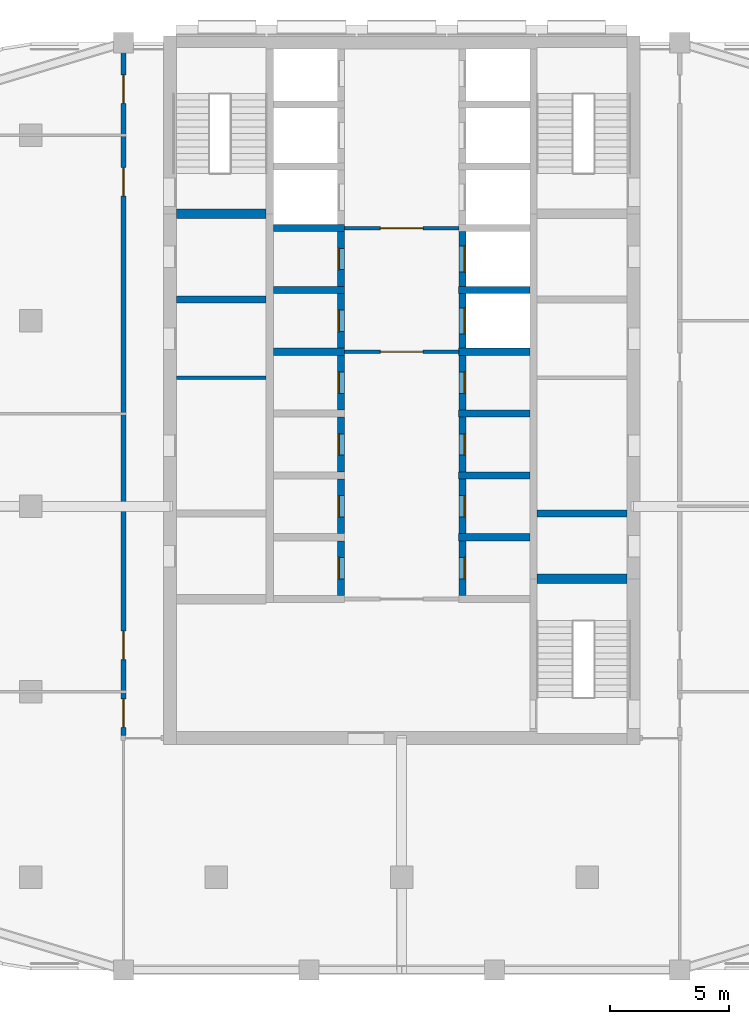
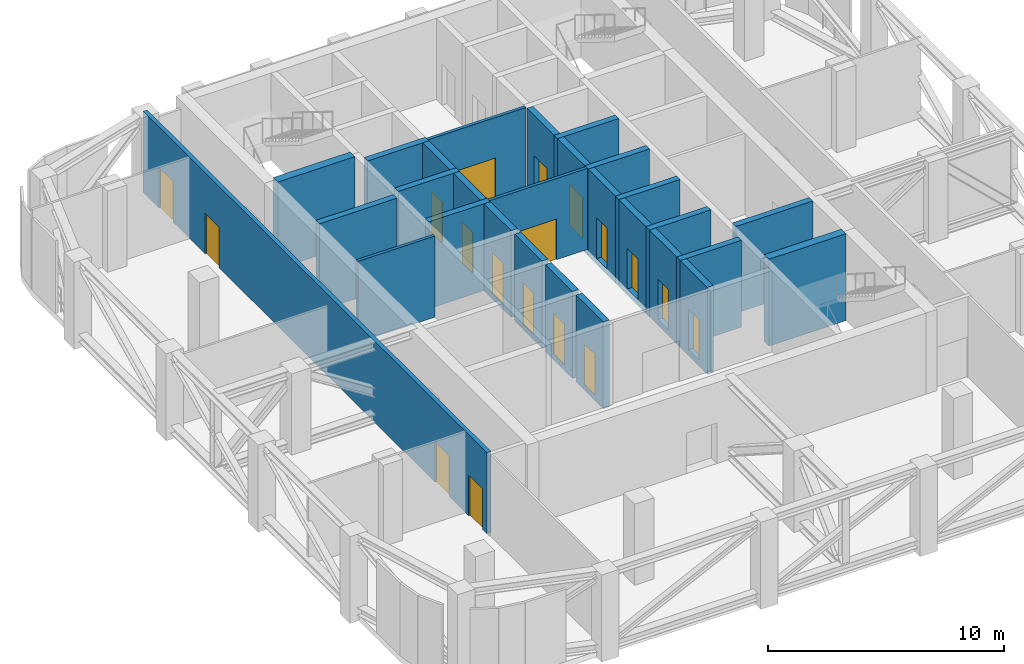
# One storey, part 5 of 11: 28 walls, 18 doors, 18 openings.
"""IFC4 building model written with IfcOpenShell, lengths in metres."""

from ifc_helpers import new_model, si_unit, direction, frame, frame_2d, origin, place, context, subcontext, project, spatial, rectangle, extrude, material, layer, layer_set, type_object, element, fill, save


model = new_model("IFC4")

# Units and contexts
model_context = context("Model", 3, precision=1e-05, world=origin(), true_north=direction((0.0, 1.0)))
body_context = subcontext(model_context, "Body", "Model", "MODEL_VIEW")
ifc_project = project(units=[si_unit("LENGTHUNIT", "METRE"), si_unit("AREAUNIT", "SQUARE_METRE"), si_unit("VOLUMEUNIT", "CUBIC_METRE"), si_unit("PLANEANGLEUNIT", "RADIAN"), si_unit("MASSUNIT", "GRAM", prefix="KILO")], contexts=[model_context])

# Site, building, storey
site_placement = place(None, origin())
site = spatial("IfcSite", under=ifc_project, at=site_placement, CompositionType="ELEMENT")
building_placement = place(site_placement, origin())
building = spatial("IfcBuilding", under=site, at=building_placement, Name="Ludao Terraces", CompositionType="ELEMENT")
storey_placement = place(building_placement, frame((0.0, 0.0, 144.10009765625)))
storey = spatial("IfcBuildingStorey", under=building, at=storey_placement, Name="L39", CompositionType="ELEMENT", Elevation=144.10009765625)

# Wall
ifc_material_1 = material(Name="Fire-rated gypsum plasterboard", Category="gypsum")
ifc_layer_1 = layer(ifc_material_1, 0.012451171875, Category="gypsum")
ifc_material_2 = material(Name="Mineral wool")
ifc_layer_2 = layer(ifc_material_2, 0.10009765625, Name="insulation")
ifc_material_3 = material(Name="Steel Q235", Category="steel")
ifc_layer_3 = layer(ifc_material_3, 0.02490234375, Name="stud")
ifc_layer_4 = layer(ifc_material_1, 0.012451171875, Category="gypsum")
ifc_layer_set_1 = layer_set([ifc_layer_1, ifc_layer_2, ifc_layer_3, ifc_layer_4], Name="INT Core partition 150")
wall_type_1 = type_object("IfcWallType", Name="INT Core partition 150", PredefinedType="PARTITIONING", material=ifc_layer_set_1)
wall_1_placement = place(storey_placement, frame((75.525146484375, 70.39990234375, 0.0), z_axis=(0.0, 0.0, 1.0), x_axis=(1.0, 0.0, 0.0)))
element("IfcWall", 1, at=wall_1_placement, inside=storey, type_object=wall_type_1, Name="PW-L39-PW007", PredefinedType="PARTITIONING", context=body_context, shape_type="SweptSolid", body=[
    extrude(rectangle(XDim=3.77490234375, YDim=0.14990234375, at=frame_2d((1.887451171875, 0.0))), origin(), (0.0, 0.0, 1.0), 4.199951171875),
])

# Wall, opening, door
wall_2_placement = place(storey_placement, frame((82.60009765625, 71.5, 0.0), z_axis=(0.0, 0.0, 1.0), x_axis=(1.0, 0.0, 0.0)))
wall_2 = element("IfcWall", 2, at=wall_2_placement, inside=storey, type_object=wall_type_1, Name="PW-L39-PW009", PredefinedType="PARTITIONING", context=body_context, shape_type="SweptSolid", body=[
    extrude(rectangle(XDim=4.800048828125, YDim=0.14990234375, at=frame_2d((2.39990234375, 0.0))), origin(), (0.0, 0.0, 1.0), 4.199951171875),
])
opening_1_placement = place(wall_2_placement, frame((1.5, 0.0, 0.0)))
opening_1 = element("IfcOpeningElement", 3, at=opening_1_placement, cuts=wall_2, Name="Opening L39-024", PredefinedType="OPENING", context=body_context, shape_type="SweptSolid", body=[
    extrude(rectangle(XDim=1.800048828125, YDim=2.10009765625, at=frame_2d((0.89990234375, 1.050048828125))), frame((0.0, 0.0849609375, 0.0), z_axis=(0.0, -1.0, 0.0), x_axis=(1.0, 0.0, 0.0)), (0.0, 0.0, 1.0), 0.169921875),
])
door_type_1 = type_object("IfcDoorType", Name="INT Fire lobby door 1800", OperationType="DOUBLE_DOOR_SINGLE_SWING", PredefinedType="DOOR", material=ifc_material_3)
door_1_placement = place(opening_1_placement, origin())
door_1 = element("IfcDoor", 4, at=door_1_placement, inside=storey, type_object=door_type_1, Name="DOOR 024", OperationType="DOUBLE_DOOR_SINGLE_SWING", OverallHeight=2.10009765625, OverallWidth=1.800048828125, PredefinedType="DOOR", context=body_context, shape_type="SweptSolid", body=[
    extrude(rectangle(XDim=1.800048828125, YDim=2.10009765625, at=frame_2d((0.89990234375, 1.050048828125))), frame((0.0, 0.02490234375, 0.0), z_axis=(0.0, -1.0, 0.0), x_axis=(1.0, 0.0, 0.0)), (0.0, 0.0, 1.0), 0.050048828125),
])
fill(opening_1, door_1)

wall_3_placement = place(storey_placement, frame((82.60009765625, 76.699951171875, 0.0), z_axis=(0.0, 0.0, 1.0), x_axis=(1.0, 0.0, 0.0)))
wall_3 = element("IfcWall", 5, at=wall_3_placement, inside=storey, type_object=wall_type_1, Name="PW-L39-PW011", PredefinedType="PARTITIONING", context=body_context, shape_type="SweptSolid", body=[
    extrude(rectangle(XDim=4.800048828125, YDim=0.14990234375, at=frame_2d((2.39990234375, 0.0))), origin(), (0.0, 0.0, 1.0), 4.199951171875),
])
opening_2_placement = place(wall_3_placement, frame((1.5, 0.0, 0.0)))
opening_2 = element("IfcOpeningElement", 6, at=opening_2_placement, cuts=wall_3, Name="Opening L39-033", PredefinedType="OPENING", context=body_context, shape_type="SweptSolid", body=[
    extrude(rectangle(XDim=1.800048828125, YDim=2.10009765625, at=frame_2d((0.89990234375, 1.050048828125))), frame((0.0, 0.0849609375, 0.0), z_axis=(0.0, -1.0, 0.0), x_axis=(1.0, 0.0, 0.0)), (0.0, 0.0, 1.0), 0.169921875),
])
door_2_placement = place(opening_2_placement, origin())
door_2 = element("IfcDoor", 7, at=door_2_placement, inside=storey, type_object=door_type_1, Name="DOOR 033", OperationType="DOUBLE_DOOR_SINGLE_SWING", OverallHeight=2.10009765625, OverallWidth=1.800048828125, PredefinedType="DOOR", context=body_context, shape_type="SweptSolid", body=[
    extrude(rectangle(XDim=1.800048828125, YDim=2.10009765625, at=frame_2d((0.89990234375, 1.050048828125))), frame((0.0, 0.02490234375, 0.0), z_axis=(0.0, -1.0, 0.0), x_axis=(1.0, 0.0, 0.0)), (0.0, 0.0, 1.0), 0.050048828125),
])
fill(opening_2, door_2)

# Wall, openings, doors
ifc_material_4 = material(Name="Autoclaved aerated concrete block B06 A3.5", Category="concrete")
ifc_layer_5 = layer(ifc_material_4, 0.199951171875)
ifc_layer_set_2 = layer_set([ifc_layer_5], Name="INT Entrance wall 200")
wall_type_2 = type_object("IfcWallType", Name="INT Entrance wall 200", PredefinedType="PARTITIONING", material=ifc_layer_set_2)
wall_4_placement = place(storey_placement, frame((73.300048828125, 55.35009765625, 0.0), z_axis=(0.0, 0.0, 1.0), x_axis=(0.0, 1.0, 0.0)))
wall_4 = element("IfcWall", 8, at=wall_4_placement, inside=storey, type_object=wall_type_2, Name="PW-L39-PW014", PredefinedType="PARTITIONING", context=body_context, shape_type="SweptSolid", body=[
    extrude(rectangle(XDim=29.14990234375, YDim=0.199951171875, at=frame_2d((14.574951171875, 0.0))), origin(), (0.0, 0.0, 1.0), 4.199951171875),
])
opening_3_placement = place(wall_4_placement, frame((0.35009765625, 0.0, 0.0)))
opening_3 = element("IfcOpeningElement", 9, at=opening_3_placement, cuts=wall_4, Name="Opening L39-006", PredefinedType="OPENING", context=body_context, shape_type="SweptSolid", body=[
    extrude(rectangle(XDim=1.199951171875, YDim=2.10009765625, at=frame_2d((0.60009765625, 1.050048828125))), frame((0.0, 0.10986328125, 0.0), z_axis=(0.0, -1.0, 0.0), x_axis=(1.0, 0.0, 0.0)), (0.0, 0.0, 1.0), 0.219970703125),
])
opening_4_placement = place(wall_4_placement, frame((3.199951171875, 0.0, 0.0)))
opening_4 = element("IfcOpeningElement", 10, at=opening_4_placement, cuts=wall_4, Name="Opening L39-008", PredefinedType="OPENING", context=body_context, shape_type="SweptSolid", body=[
    extrude(rectangle(XDim=1.199951171875, YDim=2.10009765625, at=frame_2d((0.60009765625, 1.050048828125))), frame((0.0, 0.10986328125, 0.0), z_axis=(0.0, -1.0, 0.0), x_axis=(1.0, 0.0, 0.0)), (0.0, 0.0, 1.0), 0.219970703125),
])
opening_5_placement = place(wall_4_placement, frame((22.699951171875, 0.0, 0.0)))
opening_5 = element("IfcOpeningElement", 11, at=opening_5_placement, cuts=wall_4, Name="Opening L39-038", PredefinedType="OPENING", context=body_context, shape_type="SweptSolid", body=[
    extrude(rectangle(XDim=1.199951171875, YDim=2.10009765625, at=frame_2d((0.60009765625, 1.050048828125))), frame((0.0, 0.10986328125, 0.0), z_axis=(0.0, -1.0, 0.0), x_axis=(1.0, 0.0, 0.0)), (0.0, 0.0, 1.0), 0.219970703125),
])
opening_6_placement = place(wall_4_placement, frame((26.60009765625, 0.0, 0.0)))
opening_6 = element("IfcOpeningElement", 12, at=opening_6_placement, cuts=wall_4, Name="Opening L39-041", PredefinedType="OPENING", context=body_context, shape_type="SweptSolid", body=[
    extrude(rectangle(XDim=1.199951171875, YDim=2.10009765625, at=frame_2d((0.60009765625, 1.050048828125))), frame((0.0, 0.10986328125, 0.0), z_axis=(0.0, -1.0, 0.0), x_axis=(1.0, 0.0, 0.0)), (0.0, 0.0, 1.0), 0.219970703125),
])
ifc_material_5 = material(Name="Timber door leaf", Category="wood")
door_type_2 = type_object("IfcDoorType", Name="INT Double door 1200", OperationType="DOUBLE_DOOR_SINGLE_SWING", PredefinedType="DOOR", material=ifc_material_5)
door_3_placement = place(opening_3_placement, origin())
door_3 = element("IfcDoor", 13, at=door_3_placement, inside=storey, type_object=door_type_2, Name="DOOR 006", OperationType="DOUBLE_DOOR_SINGLE_SWING", OverallHeight=2.10009765625, OverallWidth=1.199951171875, PredefinedType="DOOR", context=body_context, shape_type="SweptSolid", body=[
    extrude(rectangle(XDim=1.199951171875, YDim=2.10009765625, at=frame_2d((0.60009765625, 1.050048828125))), frame((0.0, 0.02490234375, 0.0), z_axis=(0.0, -1.0, 0.0), x_axis=(1.0, 0.0, 0.0)), (0.0, 0.0, 1.0), 0.050048828125),
])
fill(opening_3, door_3)
door_4_placement = place(opening_4_placement, origin())
door_4 = element("IfcDoor", 14, at=door_4_placement, inside=storey, type_object=door_type_2, Name="DOOR 008", OperationType="DOUBLE_DOOR_SINGLE_SWING", OverallHeight=2.10009765625, OverallWidth=1.199951171875, PredefinedType="DOOR", context=body_context, shape_type="SweptSolid", body=[
    extrude(rectangle(XDim=1.199951171875, YDim=2.10009765625, at=frame_2d((0.60009765625, 1.050048828125))), frame((0.0, 0.02490234375, 0.0), z_axis=(0.0, -1.0, 0.0), x_axis=(1.0, 0.0, 0.0)), (0.0, 0.0, 1.0), 0.050048828125),
])
fill(opening_4, door_4)
door_5_placement = place(opening_5_placement, origin())
door_5 = element("IfcDoor", 15, at=door_5_placement, inside=storey, type_object=door_type_2, Name="DOOR 038", OperationType="DOUBLE_DOOR_SINGLE_SWING", OverallHeight=2.10009765625, OverallWidth=1.199951171875, PredefinedType="DOOR", context=body_context, shape_type="SweptSolid", body=[
    extrude(rectangle(XDim=1.199951171875, YDim=2.10009765625, at=frame_2d((0.60009765625, 1.050048828125))), frame((0.0, 0.02490234375, 0.0), z_axis=(0.0, -1.0, 0.0), x_axis=(1.0, 0.0, 0.0)), (0.0, 0.0, 1.0), 0.050048828125),
])
fill(opening_5, door_5)
door_6_placement = place(opening_6_placement, origin())
door_6 = element("IfcDoor", 16, at=door_6_placement, inside=storey, type_object=door_type_2, Name="DOOR 041", OperationType="DOUBLE_DOOR_SINGLE_SWING", OverallHeight=2.10009765625, OverallWidth=1.199951171875, PredefinedType="DOOR", context=body_context, shape_type="SweptSolid", body=[
    extrude(rectangle(XDim=1.199951171875, YDim=2.10009765625, at=frame_2d((0.60009765625, 1.050048828125))), frame((0.0, 0.02490234375, 0.0), z_axis=(0.0, -1.0, 0.0), x_axis=(1.0, 0.0, 0.0)), (0.0, 0.0, 1.0), 0.050048828125),
])
fill(opening_6, door_6)

# Wall, opening, door
ifc_material_6 = material(Name="Concrete C55", Category="concrete")
ifc_layer_6 = layer(ifc_material_6, 0.300048828125)
ifc_layer_set_3 = layer_set([ifc_layer_6], Name="Shaft wall 300 C55")
wall_type_3 = type_object("IfcWallType", Name="Shaft wall 300 C55", PredefinedType="SOLIDWALL", material=ifc_layer_set_3)
wall_5_placement = place(storey_placement, frame((82.449951171875, 61.25, -0.300048828125), z_axis=(0.0, 0.0, 1.0), x_axis=(0.0, 1.0, 0.0)))
wall_5 = element("IfcWall", 17, at=wall_5_placement, inside=storey, type_object=wall_type_3, Name="Core wall L39 front-W1", PredefinedType="SOLIDWALL", context=body_context, shape_type="SweptSolid", body=[
    extrude(rectangle(XDim=2.300048828125, YDim=0.300048828125, at=frame_2d((1.14990234375, 0.0))), origin(), (0.0, 0.0, 1.0), 4.5),
])
opening_7_placement = place(wall_5_placement, frame((0.699951171875, 0.0, 0.300048828125)))
opening_7 = element("IfcOpeningElement", 18, at=opening_7_placement, cuts=wall_5, Name="Opening L39-011", PredefinedType="OPENING", context=body_context, shape_type="SweptSolid", body=[
    extrude(rectangle(XDim=0.89990234375, YDim=2.10009765625, at=frame_2d((0.449951171875, 1.050048828125))), frame((0.0, 0.16015625, 0.0), z_axis=(0.0, -1.0, 0.0), x_axis=(1.0, 0.0, 0.0)), (0.0, 0.0, 1.0), 0.320068359375),
])
door_type_3 = type_object("IfcDoorType", Name="INT Room door 900", OperationType="SINGLE_SWING_LEFT", PredefinedType="DOOR", material=ifc_material_5)
door_7_placement = place(opening_7_placement, origin())
door_7 = element("IfcDoor", 19, at=door_7_placement, inside=storey, type_object=door_type_3, Name="DOOR 011", OperationType="SINGLE_SWING_RIGHT", OverallHeight=2.10009765625, OverallWidth=0.89990234375, PredefinedType="DOOR", context=body_context, shape_type="SweptSolid", body=[
    extrude(rectangle(XDim=0.89990234375, YDim=2.10009765625, at=frame_2d((0.449951171875, 1.050048828125))), frame((0.0, 0.13525390625, 0.0), z_axis=(0.0, -1.0, 0.0), x_axis=(1.0, 0.0, 0.0)), (0.0, 0.0, 1.0), 0.050048828125),
])
fill(opening_7, door_7)

wall_6_placement = place(storey_placement, frame((82.449951171875, 63.85009765625, -0.300048828125), z_axis=(0.0, 0.0, 1.0), x_axis=(0.0, 1.0, 0.0)))
wall_6 = element("IfcWall", 20, at=wall_6_placement, inside=storey, type_object=wall_type_3, Name="Core wall L39 front-W2", PredefinedType="SOLIDWALL", context=body_context, shape_type="SweptSolid", body=[
    extrude(rectangle(XDim=2.2998046875, YDim=0.300048828125, at=frame_2d((1.14990234375, 0.0))), origin(), (0.0, 0.0, 1.0), 4.5),
])
opening_8_placement = place(wall_6_placement, frame((0.699951171875, 0.0, 0.300048828125)))
opening_8 = element("IfcOpeningElement", 21, at=opening_8_placement, cuts=wall_6, Name="Opening L39-015", PredefinedType="OPENING", context=body_context, shape_type="SweptSolid", body=[
    extrude(rectangle(XDim=0.89990234375, YDim=2.10009765625, at=frame_2d((0.449951171875, 1.050048828125))), frame((0.0, 0.16015625, 0.0), z_axis=(0.0, -1.0, 0.0), x_axis=(1.0, 0.0, 0.0)), (0.0, 0.0, 1.0), 0.320068359375),
])
door_8_placement = place(opening_8_placement, origin())
door_8 = element("IfcDoor", 22, at=door_8_placement, inside=storey, type_object=door_type_3, Name="DOOR 015", OperationType="SINGLE_SWING_LEFT", OverallHeight=2.10009765625, OverallWidth=0.89990234375, PredefinedType="DOOR", context=body_context, shape_type="SweptSolid", body=[
    extrude(rectangle(XDim=0.89990234375, YDim=2.10009765625, at=frame_2d((0.449951171875, 1.050048828125))), frame((0.0, 0.13525390625, 0.0), z_axis=(0.0, -1.0, 0.0), x_axis=(1.0, 0.0, 0.0)), (0.0, 0.0, 1.0), 0.050048828125),
])
fill(opening_8, door_8)

wall_7_placement = place(storey_placement, frame((82.449951171875, 66.449951171875, -0.300048828125), z_axis=(0.0, 0.0, 1.0), x_axis=(0.0, 1.0, 0.0)))
wall_7 = element("IfcWall", 23, at=wall_7_placement, inside=storey, type_object=wall_type_3, Name="Core wall L39 front-W3", PredefinedType="SOLIDWALL", context=body_context, shape_type="SweptSolid", body=[
    extrude(rectangle(XDim=2.300048828125, YDim=0.300048828125, at=frame_2d((1.14990234375, 0.0))), origin(), (0.0, 0.0, 1.0), 4.5),
])
opening_9_placement = place(wall_7_placement, frame((0.699951171875, 0.0, 0.300048828125)))
opening_9 = element("IfcOpeningElement", 24, at=opening_9_placement, cuts=wall_7, Name="Opening L39-019", PredefinedType="OPENING", context=body_context, shape_type="SweptSolid", body=[
    extrude(rectangle(XDim=0.89990234375, YDim=2.10009765625, at=frame_2d((0.449951171875, 1.050048828125))), frame((0.0, 0.16015625, 0.0), z_axis=(0.0, -1.0, 0.0), x_axis=(1.0, 0.0, 0.0)), (0.0, 0.0, 1.0), 0.320068359375),
])
door_9_placement = place(opening_9_placement, origin())
door_9 = element("IfcDoor", 25, at=door_9_placement, inside=storey, type_object=door_type_3, Name="DOOR 019", OperationType="SINGLE_SWING_RIGHT", OverallHeight=2.10009765625, OverallWidth=0.89990234375, PredefinedType="DOOR", context=body_context, shape_type="SweptSolid", body=[
    extrude(rectangle(XDim=0.89990234375, YDim=2.10009765625, at=frame_2d((0.449951171875, 1.050048828125))), frame((0.0, 0.13525390625, 0.0), z_axis=(0.0, -1.0, 0.0), x_axis=(1.0, 0.0, 0.0)), (0.0, 0.0, 1.0), 0.050048828125),
])
fill(opening_9, door_9)

wall_8_placement = place(storey_placement, frame((82.449951171875, 69.050048828125, -0.300048828125), z_axis=(0.0, 0.0, 1.0), x_axis=(0.0, 1.0, 0.0)))
wall_8 = element("IfcWall", 26, at=wall_8_placement, inside=storey, type_object=wall_type_3, Name="Core wall L39 front-W4", PredefinedType="SOLIDWALL", context=body_context, shape_type="SweptSolid", body=[
    extrude(rectangle(XDim=2.300048828125, YDim=0.300048828125, at=frame_2d((1.14990234375, 0.0))), origin(), (0.0, 0.0, 1.0), 4.5),
])
opening_10_placement = place(wall_8_placement, frame((0.699951171875, 0.0, 0.300048828125)))
opening_10 = element("IfcOpeningElement", 27, at=opening_10_placement, cuts=wall_8, Name="Opening L39-021", PredefinedType="OPENING", context=body_context, shape_type="SweptSolid", body=[
    extrude(rectangle(XDim=0.89990234375, YDim=2.10009765625, at=frame_2d((0.449951171875, 1.050048828125))), frame((0.0, 0.16015625, 0.0), z_axis=(0.0, -1.0, 0.0), x_axis=(1.0, 0.0, 0.0)), (0.0, 0.0, 1.0), 0.320068359375),
])
door_10_placement = place(opening_10_placement, origin())
door_10 = element("IfcDoor", 28, at=door_10_placement, inside=storey, type_object=door_type_3, Name="DOOR 021", OperationType="SINGLE_SWING_LEFT", OverallHeight=2.10009765625, OverallWidth=0.89990234375, PredefinedType="DOOR", context=body_context, shape_type="SweptSolid", body=[
    extrude(rectangle(XDim=0.89990234375, YDim=2.10009765625, at=frame_2d((0.449951171875, 1.050048828125))), frame((0.0, 0.13525390625, 0.0), z_axis=(0.0, -1.0, 0.0), x_axis=(1.0, 0.0, 0.0)), (0.0, 0.0, 1.0), 0.050048828125),
])
fill(opening_10, door_10)

# Wall
wall_9_placement = place(storey_placement, frame((79.60009765625, 71.5, -0.300048828125), z_axis=(0.0, 0.0, 1.0), x_axis=(1.0, 0.0, 0.0)))
element("IfcWall", 29, at=wall_9_placement, inside=storey, type_object=wall_type_3, Name="Core wall L39 div-W5", PredefinedType="SOLIDWALL", context=body_context, shape_type="SweptSolid", body=[
    extrude(rectangle(XDim=3.0, YDim=0.300048828125, at=frame_2d((1.5, 0.0))), origin(), (0.0, 0.0, 1.0), 4.5),
])

# Wall, opening, door
wall_10_placement = place(storey_placement, frame((82.449951171875, 71.64990234375, -0.300048828125), z_axis=(0.0, 0.0, 1.0), x_axis=(0.0, 1.0, 0.0)))
wall_10 = element("IfcWall", 30, at=wall_10_placement, inside=storey, type_object=wall_type_3, Name="Core wall L39 front-W5", PredefinedType="SOLIDWALL", context=body_context, shape_type="SweptSolid", body=[
    extrude(rectangle(XDim=2.300048828125, YDim=0.300048828125, at=frame_2d((1.14990234375, 0.0))), origin(), (0.0, 0.0, 1.0), 4.5),
])
opening_11_placement = place(wall_10_placement, frame((0.699951171875, 0.0, 0.300048828125)))
opening_11 = element("IfcOpeningElement", 31, at=opening_11_placement, cuts=wall_10, Name="Opening L39-027", PredefinedType="OPENING", context=body_context, shape_type="SweptSolid", body=[
    extrude(rectangle(XDim=0.89990234375, YDim=2.10009765625, at=frame_2d((0.449951171875, 1.050048828125))), frame((0.0, 0.16015625, 0.0), z_axis=(0.0, -1.0, 0.0), x_axis=(1.0, 0.0, 0.0)), (0.0, 0.0, 1.0), 0.320068359375),
])
door_11_placement = place(opening_11_placement, origin())
door_11 = element("IfcDoor", 32, at=door_11_placement, inside=storey, type_object=door_type_3, Name="DOOR 027", OperationType="SINGLE_SWING_LEFT", OverallHeight=2.10009765625, OverallWidth=0.89990234375, PredefinedType="DOOR", context=body_context, shape_type="SweptSolid", body=[
    extrude(rectangle(XDim=0.89990234375, YDim=2.10009765625, at=frame_2d((0.449951171875, 1.050048828125))), frame((0.0, 0.13525390625, 0.0), z_axis=(0.0, -1.0, 0.0), x_axis=(1.0, 0.0, 0.0)), (0.0, 0.0, 1.0), 0.050048828125),
])
fill(opening_11, door_11)

# Wall
wall_11_placement = place(storey_placement, frame((79.60009765625, 74.10009765625, -0.300048828125), z_axis=(0.0, 0.0, 1.0), x_axis=(1.0, 0.0, 0.0)))
element("IfcWall", 33, at=wall_11_placement, inside=storey, type_object=wall_type_3, Name="Core wall L39 div-W6", PredefinedType="SOLIDWALL", context=body_context, shape_type="SweptSolid", body=[
    extrude(rectangle(XDim=3.0, YDim=0.300048828125, at=frame_2d((1.5, 0.0))), origin(), (0.0, 0.0, 1.0), 4.5),
])

# Wall, opening, door
wall_12_placement = place(storey_placement, frame((82.449951171875, 74.25, -0.300048828125), z_axis=(0.0, 0.0, 1.0), x_axis=(0.0, 1.0, 0.0)))
wall_12 = element("IfcWall", 34, at=wall_12_placement, inside=storey, type_object=wall_type_3, Name="Core wall L39 front-W6", PredefinedType="SOLIDWALL", context=body_context, shape_type="SweptSolid", body=[
    extrude(rectangle(XDim=2.300048828125, YDim=0.300048828125, at=frame_2d((1.14990234375, 0.0))), origin(), (0.0, 0.0, 1.0), 4.5),
])
opening_12_placement = place(wall_12_placement, frame((0.699951171875, 0.0, 0.300048828125)))
opening_12 = element("IfcOpeningElement", 35, at=opening_12_placement, cuts=wall_12, Name="Opening L39-029", PredefinedType="OPENING", context=body_context, shape_type="SweptSolid", body=[
    extrude(rectangle(XDim=0.89990234375, YDim=2.10009765625, at=frame_2d((0.449951171875, 1.050048828125))), frame((0.0, 0.16015625, 0.0), z_axis=(0.0, -1.0, 0.0), x_axis=(1.0, 0.0, 0.0)), (0.0, 0.0, 1.0), 0.320068359375),
])
door_12_placement = place(opening_12_placement, origin())
door_12 = element("IfcDoor", 36, at=door_12_placement, inside=storey, type_object=door_type_3, Name="DOOR 029", OperationType="SINGLE_SWING_RIGHT", OverallHeight=2.10009765625, OverallWidth=0.89990234375, PredefinedType="DOOR", context=body_context, shape_type="SweptSolid", body=[
    extrude(rectangle(XDim=0.89990234375, YDim=2.10009765625, at=frame_2d((0.449951171875, 1.050048828125))), frame((0.0, 0.13525390625, 0.0), z_axis=(0.0, -1.0, 0.0), x_axis=(1.0, 0.0, 0.0)), (0.0, 0.0, 1.0), 0.050048828125),
])
fill(opening_12, door_12)

# Wall
wall_13_placement = place(storey_placement, frame((79.60009765625, 76.699951171875, -0.300048828125), z_axis=(0.0, 0.0, 1.0), x_axis=(1.0, 0.0, 0.0)))
element("IfcWall", 37, at=wall_13_placement, inside=storey, type_object=wall_type_3, Name="Core wall L39 div-W7", PredefinedType="SOLIDWALL", context=body_context, shape_type="SweptSolid", body=[
    extrude(rectangle(XDim=3.0, YDim=0.300048828125, at=frame_2d((1.5, 0.0))), origin(), (0.0, 0.0, 1.0), 4.5),
])

# Wall, opening, door
wall_14_placement = place(storey_placement, frame((87.550048828125, 61.25, -0.300048828125), z_axis=(0.0, 0.0, 1.0), x_axis=(0.0, 1.0, 0.0)))
wall_14 = element("IfcWall", 38, at=wall_14_placement, inside=storey, type_object=wall_type_3, Name="Core wall L39 front-E1", PredefinedType="SOLIDWALL", context=body_context, shape_type="SweptSolid", body=[
    extrude(rectangle(XDim=2.300048828125, YDim=0.300048828125, at=frame_2d((1.14990234375, 0.0))), origin(), (0.0, 0.0, 1.0), 4.5),
])
opening_13_placement = place(wall_14_placement, frame((0.699951171875, 0.0, 0.300048828125)))
opening_13 = element("IfcOpeningElement", 39, at=opening_13_placement, cuts=wall_14, Name="Opening L39-012", PredefinedType="OPENING", context=body_context, shape_type="SweptSolid", body=[
    extrude(rectangle(XDim=0.89990234375, YDim=2.10009765625, at=frame_2d((0.449951171875, 1.050048828125))), frame((0.0, 0.16015625, 0.0), z_axis=(0.0, -1.0, 0.0), x_axis=(1.0, 0.0, 0.0)), (0.0, 0.0, 1.0), 0.320068359375),
])
door_13_placement = place(opening_13_placement, origin())
door_13 = element("IfcDoor", 40, at=door_13_placement, inside=storey, type_object=door_type_3, Name="DOOR 012", OperationType="SINGLE_SWING_LEFT", OverallHeight=2.10009765625, OverallWidth=0.89990234375, PredefinedType="DOOR", context=body_context, shape_type="SweptSolid", body=[
    extrude(rectangle(XDim=0.89990234375, YDim=2.10009765625, at=frame_2d((0.449951171875, 1.050048828125))), frame((0.0, -0.0849609375, 0.0), z_axis=(0.0, -1.0, 0.0), x_axis=(1.0, 0.0, 0.0)), (0.0, 0.0, 1.0), 0.050048828125),
])
fill(opening_13, door_13)

# Wall
wall_15_placement = place(storey_placement, frame((87.39990234375, 63.699951171875, -0.300048828125), z_axis=(0.0, 0.0, 1.0), x_axis=(1.0, 0.0, 0.0)))
element("IfcWall", 41, at=wall_15_placement, inside=storey, type_object=wall_type_3, Name="Core wall L39 div-E2", PredefinedType="SOLIDWALL", context=body_context, shape_type="SweptSolid", body=[
    extrude(rectangle(XDim=3.0, YDim=0.300048828125, at=frame_2d((1.5, 0.0))), origin(), (0.0, 0.0, 1.0), 4.5),
])

# Wall, opening, door
wall_16_placement = place(storey_placement, frame((87.550048828125, 63.85009765625, -0.300048828125), z_axis=(0.0, 0.0, 1.0), x_axis=(0.0, 1.0, 0.0)))
wall_16 = element("IfcWall", 42, at=wall_16_placement, inside=storey, type_object=wall_type_3, Name="Core wall L39 front-E2", PredefinedType="SOLIDWALL", context=body_context, shape_type="SweptSolid", body=[
    extrude(rectangle(XDim=2.2998046875, YDim=0.300048828125, at=frame_2d((1.14990234375, 0.0))), origin(), (0.0, 0.0, 1.0), 4.5),
])
opening_14_placement = place(wall_16_placement, frame((0.699951171875, 0.0, 0.300048828125)))
opening_14 = element("IfcOpeningElement", 43, at=opening_14_placement, cuts=wall_16, Name="Opening L39-016", PredefinedType="OPENING", context=body_context, shape_type="SweptSolid", body=[
    extrude(rectangle(XDim=0.89990234375, YDim=2.10009765625, at=frame_2d((0.449951171875, 1.050048828125))), frame((0.0, 0.16015625, 0.0), z_axis=(0.0, -1.0, 0.0), x_axis=(1.0, 0.0, 0.0)), (0.0, 0.0, 1.0), 0.320068359375),
])
door_14_placement = place(opening_14_placement, origin())
door_14 = element("IfcDoor", 44, at=door_14_placement, inside=storey, type_object=door_type_3, Name="DOOR 016", OperationType="SINGLE_SWING_RIGHT", OverallHeight=2.10009765625, OverallWidth=0.89990234375, PredefinedType="DOOR", context=body_context, shape_type="SweptSolid", body=[
    extrude(rectangle(XDim=0.89990234375, YDim=2.10009765625, at=frame_2d((0.449951171875, 1.050048828125))), frame((0.0, -0.0849609375, 0.0), z_axis=(0.0, -1.0, 0.0), x_axis=(1.0, 0.0, 0.0)), (0.0, 0.0, 1.0), 0.050048828125),
])
fill(opening_14, door_14)

# Wall
wall_17_placement = place(storey_placement, frame((87.39990234375, 66.300048828125, -0.300048828125), z_axis=(0.0, 0.0, 1.0), x_axis=(1.0, 0.0, 0.0)))
element("IfcWall", 45, at=wall_17_placement, inside=storey, type_object=wall_type_3, Name="Core wall L39 div-E3", PredefinedType="SOLIDWALL", context=body_context, shape_type="SweptSolid", body=[
    extrude(rectangle(XDim=3.0, YDim=0.300048828125, at=frame_2d((1.5, 0.0))), origin(), (0.0, 0.0, 1.0), 4.5),
])

# Wall, opening, door
wall_18_placement = place(storey_placement, frame((87.550048828125, 66.449951171875, -0.300048828125), z_axis=(0.0, 0.0, 1.0), x_axis=(0.0, 1.0, 0.0)))
wall_18 = element("IfcWall", 46, at=wall_18_placement, inside=storey, type_object=wall_type_3, Name="Core wall L39 front-E3", PredefinedType="SOLIDWALL", context=body_context, shape_type="SweptSolid", body=[
    extrude(rectangle(XDim=2.300048828125, YDim=0.300048828125, at=frame_2d((1.14990234375, 0.0))), origin(), (0.0, 0.0, 1.0), 4.5),
])
opening_15_placement = place(wall_18_placement, frame((0.699951171875, 0.0, 0.300048828125)))
opening_15 = element("IfcOpeningElement", 47, at=opening_15_placement, cuts=wall_18, Name="Opening L39-020", PredefinedType="OPENING", context=body_context, shape_type="SweptSolid", body=[
    extrude(rectangle(XDim=0.89990234375, YDim=2.10009765625, at=frame_2d((0.449951171875, 1.050048828125))), frame((0.0, 0.16015625, 0.0), z_axis=(0.0, -1.0, 0.0), x_axis=(1.0, 0.0, 0.0)), (0.0, 0.0, 1.0), 0.320068359375),
])
door_15_placement = place(opening_15_placement, origin())
door_15 = element("IfcDoor", 48, at=door_15_placement, inside=storey, type_object=door_type_3, Name="DOOR 020", OperationType="SINGLE_SWING_LEFT", OverallHeight=2.10009765625, OverallWidth=0.89990234375, PredefinedType="DOOR", context=body_context, shape_type="SweptSolid", body=[
    extrude(rectangle(XDim=0.89990234375, YDim=2.10009765625, at=frame_2d((0.449951171875, 1.050048828125))), frame((0.0, -0.0849609375, 0.0), z_axis=(0.0, -1.0, 0.0), x_axis=(1.0, 0.0, 0.0)), (0.0, 0.0, 1.0), 0.050048828125),
])
fill(opening_15, door_15)

# Wall
wall_19_placement = place(storey_placement, frame((87.39990234375, 68.89990234375, -0.300048828125), z_axis=(0.0, 0.0, 1.0), x_axis=(1.0, 0.0, 0.0)))
element("IfcWall", 49, at=wall_19_placement, inside=storey, type_object=wall_type_3, Name="Core wall L39 div-E4", PredefinedType="SOLIDWALL", context=body_context, shape_type="SweptSolid", body=[
    extrude(rectangle(XDim=3.0, YDim=0.300048828125, at=frame_2d((1.5, 0.0))), origin(), (0.0, 0.0, 1.0), 4.5),
])

# Wall, opening, door
wall_20_placement = place(storey_placement, frame((87.550048828125, 69.050048828125, -0.300048828125), z_axis=(0.0, 0.0, 1.0), x_axis=(0.0, 1.0, 0.0)))
wall_20 = element("IfcWall", 50, at=wall_20_placement, inside=storey, type_object=wall_type_3, Name="Core wall L39 front-E4", PredefinedType="SOLIDWALL", context=body_context, shape_type="SweptSolid", body=[
    extrude(rectangle(XDim=2.300048828125, YDim=0.300048828125, at=frame_2d((1.14990234375, 0.0))), origin(), (0.0, 0.0, 1.0), 4.5),
])
opening_16_placement = place(wall_20_placement, frame((0.699951171875, 0.0, 0.300048828125)))
opening_16 = element("IfcOpeningElement", 51, at=opening_16_placement, cuts=wall_20, Name="Opening L39-022", PredefinedType="OPENING", context=body_context, shape_type="SweptSolid", body=[
    extrude(rectangle(XDim=0.89990234375, YDim=2.10009765625, at=frame_2d((0.449951171875, 1.050048828125))), frame((0.0, 0.16015625, 0.0), z_axis=(0.0, -1.0, 0.0), x_axis=(1.0, 0.0, 0.0)), (0.0, 0.0, 1.0), 0.320068359375),
])
door_16_placement = place(opening_16_placement, origin())
door_16 = element("IfcDoor", 52, at=door_16_placement, inside=storey, type_object=door_type_3, Name="DOOR 022", OperationType="SINGLE_SWING_RIGHT", OverallHeight=2.10009765625, OverallWidth=0.89990234375, PredefinedType="DOOR", context=body_context, shape_type="SweptSolid", body=[
    extrude(rectangle(XDim=0.89990234375, YDim=2.10009765625, at=frame_2d((0.449951171875, 1.050048828125))), frame((0.0, -0.0849609375, 0.0), z_axis=(0.0, -1.0, 0.0), x_axis=(1.0, 0.0, 0.0)), (0.0, 0.0, 1.0), 0.050048828125),
])
fill(opening_16, door_16)

# Wall
wall_21_placement = place(storey_placement, frame((87.39990234375, 71.5, -0.300048828125), z_axis=(0.0, 0.0, 1.0), x_axis=(1.0, 0.0, 0.0)))
element("IfcWall", 53, at=wall_21_placement, inside=storey, type_object=wall_type_3, Name="Core wall L39 div-E5", PredefinedType="SOLIDWALL", context=body_context, shape_type="SweptSolid", body=[
    extrude(rectangle(XDim=3.0, YDim=0.300048828125, at=frame_2d((1.5, 0.0))), origin(), (0.0, 0.0, 1.0), 4.5),
])

# Wall, opening, door
wall_22_placement = place(storey_placement, frame((87.550048828125, 71.64990234375, -0.300048828125), z_axis=(0.0, 0.0, 1.0), x_axis=(0.0, 1.0, 0.0)))
wall_22 = element("IfcWall", 54, at=wall_22_placement, inside=storey, type_object=wall_type_3, Name="Core wall L39 front-E5", PredefinedType="SOLIDWALL", context=body_context, shape_type="SweptSolid", body=[
    extrude(rectangle(XDim=2.300048828125, YDim=0.300048828125, at=frame_2d((1.14990234375, 0.0))), origin(), (0.0, 0.0, 1.0), 4.5),
])
opening_17_placement = place(wall_22_placement, frame((0.60009765625, 0.0, 0.300048828125)))
opening_17 = element("IfcOpeningElement", 55, at=opening_17_placement, cuts=wall_22, Name="Opening LD-LB1", PredefinedType="OPENING", context=body_context, shape_type="SweptSolid", body=[
    extrude(rectangle(XDim=1.10009765625, YDim=2.10009765625, at=frame_2d((0.550048828125, 1.050048828125))), frame((0.0, 0.16015625, 0.0), z_axis=(0.0, -1.0, 0.0), x_axis=(1.0, 0.0, 0.0)), (0.0, 0.0, 1.0), 0.320068359375),
])
ifc_material_7 = material(Name="Stainless steel 304", Category="steel")
door_type_4 = type_object("IfcDoorType", Name="INT Lift landing door 1100", OperationType="SLIDING_TO_LEFT", PredefinedType="DOOR", material=ifc_material_7)
door_17_placement = place(opening_17_placement, origin())
door_17 = element("IfcDoor", 56, at=door_17_placement, inside=storey, type_object=door_type_4, Name="LANDING DOOR LB1 L39", OperationType="SLIDING_TO_LEFT", OverallHeight=2.10009765625, OverallWidth=1.10009765625, PredefinedType="DOOR", context=body_context, shape_type="SweptSolid", body=[
    extrude(rectangle(XDim=1.10009765625, YDim=2.10009765625, at=frame_2d((0.550048828125, 1.050048828125))), frame((0.0, -0.0849609375, 0.0), z_axis=(0.0, -1.0, 0.0), x_axis=(1.0, 0.0, 0.0)), (0.0, 0.0, 1.0), 0.050048828125),
])
fill(opening_17, door_17)

# Wall
wall_23_placement = place(storey_placement, frame((87.39990234375, 74.10009765625, -0.300048828125), z_axis=(0.0, 0.0, 1.0), x_axis=(1.0, 0.0, 0.0)))
element("IfcWall", 57, at=wall_23_placement, inside=storey, type_object=wall_type_3, Name="Core wall L39 div-E6", PredefinedType="SOLIDWALL", context=body_context, shape_type="SweptSolid", body=[
    extrude(rectangle(XDim=3.0, YDim=0.300048828125, at=frame_2d((1.5, 0.0))), origin(), (0.0, 0.0, 1.0), 4.5),
])

# Wall, opening, door
wall_24_placement = place(storey_placement, frame((87.550048828125, 74.25, -0.300048828125), z_axis=(0.0, 0.0, 1.0), x_axis=(0.0, 1.0, 0.0)))
wall_24 = element("IfcWall", 58, at=wall_24_placement, inside=storey, type_object=wall_type_3, Name="Core wall L39 front-E6", PredefinedType="SOLIDWALL", context=body_context, shape_type="SweptSolid", body=[
    extrude(rectangle(XDim=2.300048828125, YDim=0.300048828125, at=frame_2d((1.14990234375, 0.0))), origin(), (0.0, 0.0, 1.0), 4.5),
])
opening_18_placement = place(wall_24_placement, frame((0.60009765625, 0.0, 0.300048828125)))
opening_18 = element("IfcOpeningElement", 59, at=opening_18_placement, cuts=wall_24, Name="Opening LD-LB2", PredefinedType="OPENING", context=body_context, shape_type="SweptSolid", body=[
    extrude(rectangle(XDim=1.10009765625, YDim=2.10009765625, at=frame_2d((0.550048828125, 1.050048828125))), frame((0.0, 0.16015625, 0.0), z_axis=(0.0, -1.0, 0.0), x_axis=(1.0, 0.0, 0.0)), (0.0, 0.0, 1.0), 0.320068359375),
])
door_18_placement = place(opening_18_placement, origin())
door_18 = element("IfcDoor", 60, at=door_18_placement, inside=storey, type_object=door_type_4, Name="LANDING DOOR LB2 L39", OperationType="SLIDING_TO_LEFT", OverallHeight=2.10009765625, OverallWidth=1.10009765625, PredefinedType="DOOR", context=body_context, shape_type="SweptSolid", body=[
    extrude(rectangle(XDim=1.10009765625, YDim=2.10009765625, at=frame_2d((0.550048828125, 1.050048828125))), frame((0.0, -0.0849609375, 0.0), z_axis=(0.0, -1.0, 0.0), x_axis=(1.0, 0.0, 0.0)), (0.0, 0.0, 1.0), 0.050048828125),
])
fill(opening_18, door_18)

# Walls
for number, where, z_axis, x_axis, name in (
    (61, (75.52490234375, 73.699951171875, -0.300048828125), (0.0, 0.0, 1.0), (1.0, 0.0, 0.0), "Core wall L39 riser-b-W"),
    (62, (90.699951171875, 64.699951171875, -0.300048828125), (0.0, 0.0, 1.0), (1.0, 0.0, 0.0), "Core wall L39 riser-a-E"),
):
    element("IfcWall", number, at=place(storey_placement, frame(where, z_axis=z_axis, x_axis=x_axis)), inside=storey, type_object=wall_type_3, Name=name, PredefinedType="SOLIDWALL", context=body_context, shape_type="SweptSolid", body=[
        extrude(rectangle(XDim=3.775146484375, YDim=0.300048828125, at=frame_2d((1.8876953125, 0.0))), origin(), (0.0, 0.0, 1.0), 4.5),
    ])
ifc_layer_7 = layer(ifc_material_6, 0.39990234375)
ifc_layer_set_4 = layer_set([ifc_layer_7], Name="Shaft wall 400 C55")
wall_type_4 = type_object("IfcWallType", Name="Shaft wall 400 C55", PredefinedType="SOLIDWALL", material=ifc_layer_set_4)
for number, where, z_axis, x_axis, name in (
    (63, (75.52490234375, 77.300048828125, -0.300048828125), (0.0, 0.0, 1.0), (1.0, 0.0, 0.0), "Core wall L39 stair-W"),
    (64, (90.699951171875, 61.949951171875, -0.300048828125), (0.0, 0.0, 1.0), (1.0, 0.0, 0.0), "Core wall L39 hall-E"),
):
    element("IfcWall", number, at=place(storey_placement, frame(where, z_axis=z_axis, x_axis=x_axis)), inside=storey, type_object=wall_type_4, Name=name, PredefinedType="SOLIDWALL", context=body_context, shape_type="SweptSolid", body=[
        extrude(rectangle(XDim=3.775146484375, YDim=0.39990234375, at=frame_2d((1.8876953125, 0.0))), origin(), (0.0, 0.0, 1.0), 4.5),
    ])

save(model, "model.ifc")
